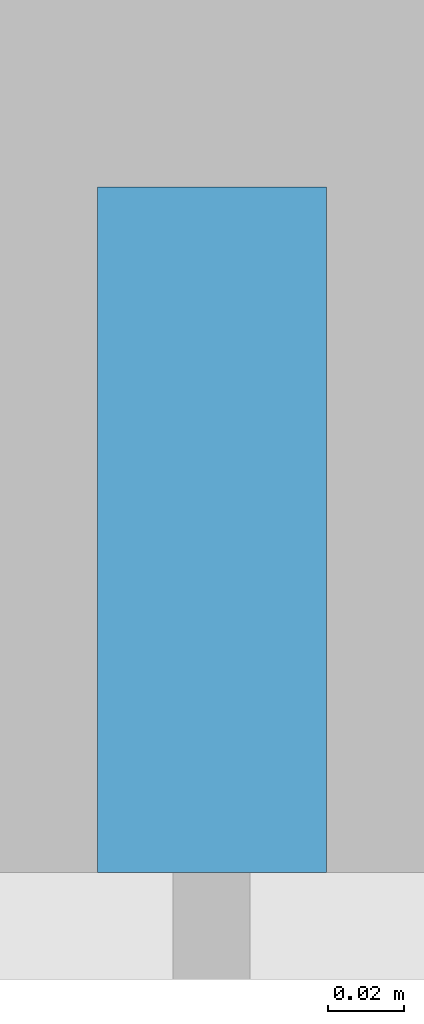
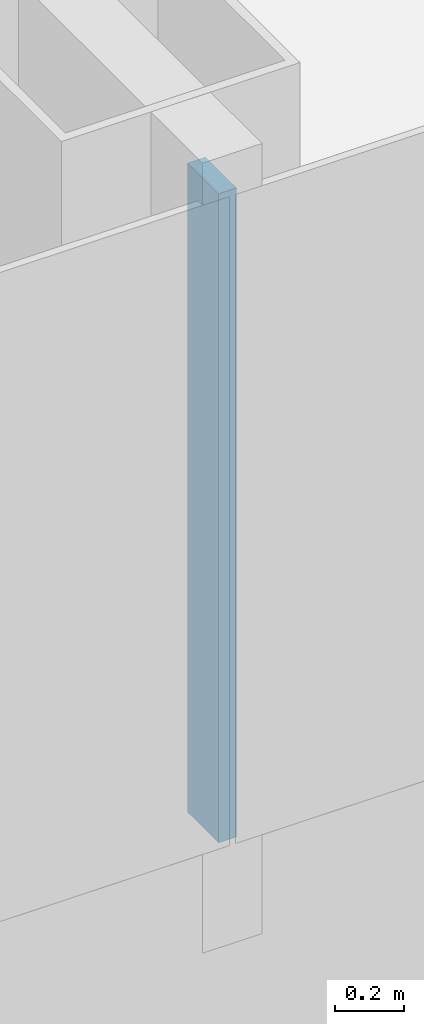
# One storey, part 4 of 29: 1 member, 1 element without a shape of its own.
"""IFC4 building model written with IfcOpenShell, lengths in metres."""

from ifc_helpers import new_model, si_unit, direction, frame, origin, origin_2d, place, context, subcontext, project, spatial, rectangle, extrude, material, layer, layer_set, material_profile, profile_set, type_object, element, aggregate, save


model = new_model("IFC4")

# Units and contexts
model_context = context("Model", 3, precision=1e-05, world=origin(), true_north=direction((0.0, 1.0)))
body_context = subcontext(model_context, "Body", "Model", "MODEL_VIEW")
ifc_project = project(units=[si_unit("LENGTHUNIT", "METRE"), si_unit("AREAUNIT", "SQUARE_METRE"), si_unit("VOLUMEUNIT", "CUBIC_METRE"), si_unit("PLANEANGLEUNIT", "RADIAN"), si_unit("MASSUNIT", "GRAM", prefix="KILO")], contexts=[model_context])

# Site, building, storey
site_placement = place(None, origin())
site = spatial("IfcSite", under=ifc_project, at=site_placement, CompositionType="ELEMENT")
building_placement = place(site_placement, origin())
building = spatial("IfcBuilding", under=site, at=building_placement, Name="Hakoniwa Tower and Hamabe Station Hall", CompositionType="ELEMENT")
storey_placement = place(building_placement, frame((0.0, 0.0, 97.800048828125)))
storey = spatial("IfcBuildingStorey", under=building, at=storey_placement, Name="L27", CompositionType="ELEMENT", Elevation=97.800048828125)

# Curtain wall, member
ifc_material_1 = material(Name="Dark low-e laminated glass", Category="glass")
ifc_layer = layer(ifc_material_1, 0.199951171875)
ifc_layer_set = layer_set([ifc_layer], Name="CW-1 UNITISED GUEST")
curtain_wall_type = type_object("IfcCurtainWallType", Name="CW-1 UNITISED GUEST", PredefinedType="NOTDEFINED", material=ifc_layer_set)
curtain_wall_placement = place(storey_placement, origin())
curtain_wall = element("IfcCurtainWall", 1, at=curtain_wall_placement, inside=storey, type_object=curtain_wall_type, Name="CW-1 curtain wall", PredefinedType="NOTDEFINED")
ifc_material_2 = material(Name="Aluminium 6063-T5 black anodised", Category="aluminium")
ifc_material_profile = material_profile(ifc_material_2, rectangle(XDim=0.06005859375, YDim=0.179931640625, at=origin_2d()), Name="CW-1 MULLION 60X180")
ifc_profile_set = profile_set([ifc_material_profile], Name="Aluminium 6063-T5 black anodised")
member_type = type_object("IfcMemberType", Name="CW-1 MULLION 60X180", PredefinedType="MULLION", material=ifc_profile_set)
member_placement = place(storey_placement, frame((-8.39990234375, -15.431884765625, 0.349853515625), z_axis=(0.0, 0.0, 1.0), x_axis=(1.0, 0.0, 0.0)))
member = element("IfcMember", 2, at=member_placement, type_object=member_type, Name="CW-1 mullion", PredefinedType="MULLION", context=body_context, shape_type="SweptSolid", body=[
    extrude(rectangle(XDim=0.06005859375, YDim=0.179931640625, at=origin_2d()), origin(), (0.0, 0.0, 1.0), 2.300048828125),
])
aggregate(curtain_wall, [member])

save(model, "model.ifc")
